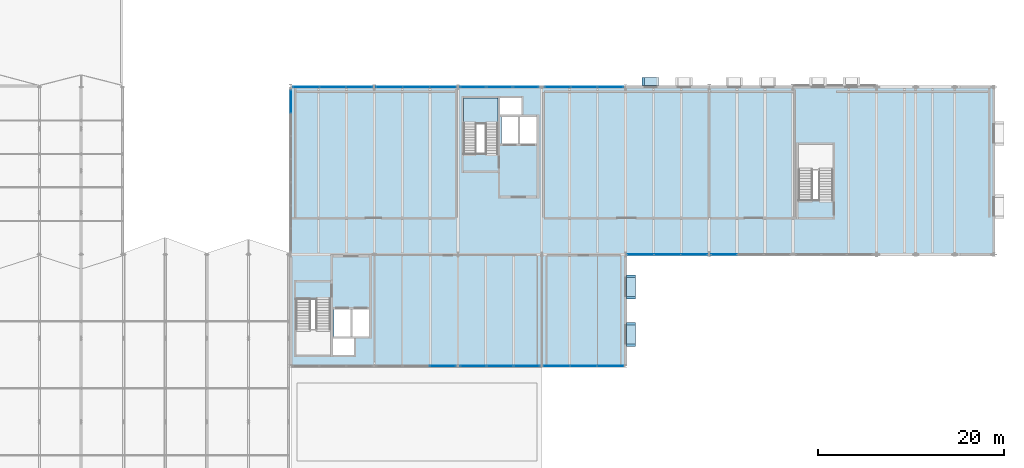
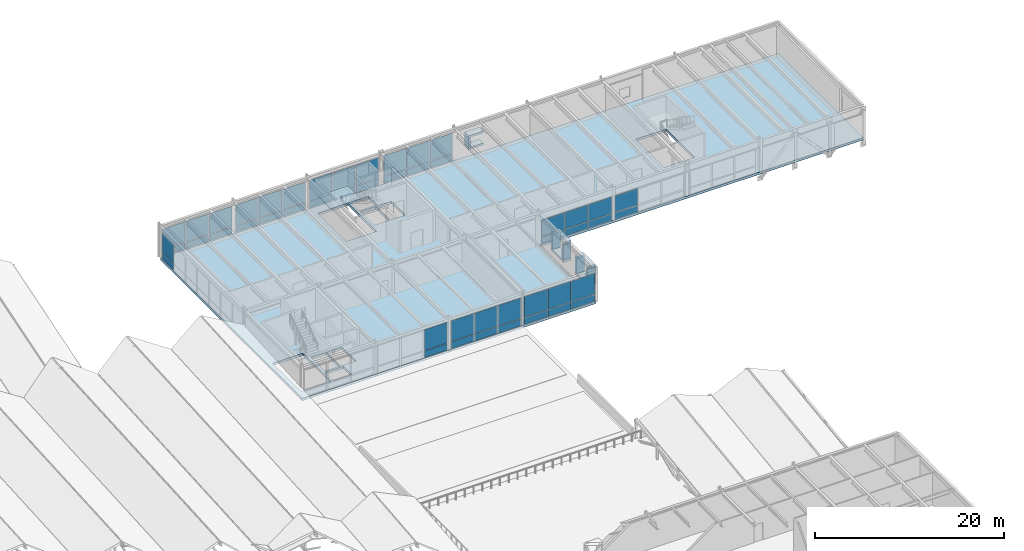
# One storey, part 106 of 142: 59 plates, 2 slabs, 11 elements without a shape of their own.
"""IFC4 building model written with IfcOpenShell, lengths in metres."""

from ifc_helpers import new_model, si_unit, direction, frame, origin, origin_2d, place, context, subcontext, project, spatial, polyline, rectangle, outline, extrude, material, layer, layer_set, type_object, element, aggregate, save


model = new_model("IFC4")

# Units and contexts
model_context = context("Model", 3, precision=1e-05, world=origin(), true_north=direction((0.0, 1.0)))
body_context = subcontext(model_context, "Body", "Model", "MODEL_VIEW")
ifc_project = project(units=[si_unit("LENGTHUNIT", "METRE"), si_unit("AREAUNIT", "SQUARE_METRE"), si_unit("VOLUMEUNIT", "CUBIC_METRE"), si_unit("PLANEANGLEUNIT", "RADIAN"), si_unit("MASSUNIT", "GRAM", prefix="KILO")], contexts=[model_context])

# Site, building, storey
site_placement = place(None, origin())
site = spatial("IfcSite", under=ifc_project, at=site_placement, CompositionType="ELEMENT")
building_placement = place(site_placement, origin())
building = spatial("IfcBuilding", under=site, at=building_placement, Name="Montelvaro Courts of Justice", CompositionType="ELEMENT")
storey_placement = place(building_placement, frame((0.0, 0.0, 14.39990234375)))
storey = spatial("IfcBuildingStorey", under=building, at=storey_placement, Name="L03", CompositionType="ELEMENT", Elevation=14.39990234375)

# Curtain wall, plates
ifc_material_1 = material(Name="Anodised aluminium EN AW-6063", Category="aluminium")
ifc_layer_1 = layer(ifc_material_1, 0.159912109375)
ifc_layer_set_1 = layer_set([ifc_layer_1], Name="Anodised aluminium EN AW-6063")
curtain_wall_type_1 = type_object("IfcCurtainWallType", Name="CurtainWall_18_868x418", PredefinedType="USERDEFINED", material=ifc_layer_set_1)
curtain_wall_1_placement = place(storey_placement, origin())
curtain_wall_1 = element("IfcCurtainWall", 1, at=curtain_wall_1_placement, inside=storey, type_object=curtain_wall_type_1, Name="Curtain Wall CW-18 (L03)", ObjectType="CURTAIN WALL", PredefinedType="USERDEFINED")
ifc_material_2 = material(Name="Low-E solar control double glazing", Category="glass")
ifc_layer_2 = layer(ifc_material_2, 0.028076171875)
ifc_layer_set_2 = layer_set([ifc_layer_2], Name="Low-E solar control double glazing")
plate_type_1 = type_object("IfcPlateType", Name="CurtainWall_Glazed_Panel_28", PredefinedType="CURTAIN_PANEL", material=ifc_layer_set_2)
plate_1_placement = place(storey_placement, frame((115.36962890625, 66.0, 0.06005859375), z_axis=(0.0, 0.0, 1.0), x_axis=(1.0, 0.0, 0.0)))
plate_1 = element("IfcPlate", 2, at=plate_1_placement, type_object=plate_type_1, Name="CW-18 panel 3.1", PredefinedType="CURTAIN_PANEL", context=body_context, shape_type="SweptSolid", body=[
    extrude(rectangle(XDim=2.78076171875, YDim=0.028076171875, at=origin_2d()), origin(), (0.0, 0.0, 1.0), 0.860107421875),
])
plate_2_placement = place(storey_placement, frame((115.36962890625, 66.0, 0.97998046875), z_axis=(0.0, 0.0, 1.0), x_axis=(1.0, 0.0, 0.0)))
plate_2 = element("IfcPlate", 3, at=plate_2_placement, type_object=plate_type_1, Name="CW-18 panel 3.2", PredefinedType="CURTAIN_PANEL", context=body_context, shape_type="SweptSolid", body=[
    extrude(rectangle(XDim=2.78076171875, YDim=0.028076171875, at=origin_2d()), origin(), (0.0, 0.0, 1.0), 2.6650390625),
])
aggregate(curtain_wall_1, [plate_1, plate_2])

curtain_wall_2_placement = place(storey_placement, origin())
curtain_wall_2 = element("IfcCurtainWall", 4, at=curtain_wall_2_placement, inside=storey, type_object=curtain_wall_type_1, Name="Curtain Wall CW-18 (L03)", ObjectType="CURTAIN WALL", PredefinedType="USERDEFINED")
plate_3_placement = place(storey_placement, frame((118.632080078125, 66.0, 0.06005859375), z_axis=(0.0, 0.0, 1.0), x_axis=(1.0, 0.0, 0.0)))
plate_3 = element("IfcPlate", 5, at=plate_3_placement, type_object=plate_type_1, Name="CW-18 panel 1.1", PredefinedType="CURTAIN_PANEL", context=body_context, shape_type="SweptSolid", body=[
    extrude(rectangle(XDim=2.7841796875, YDim=0.028076171875, at=origin_2d()), origin(), (0.0, 0.0, 1.0), 0.860107421875),
])
plate_4_placement = place(storey_placement, frame((118.632080078125, 66.0, 0.97998046875), z_axis=(0.0, 0.0, 1.0), x_axis=(1.0, 0.0, 0.0)))
plate_4 = element("IfcPlate", 6, at=plate_4_placement, type_object=plate_type_1, Name="CW-18 panel 1.2", PredefinedType="CURTAIN_PANEL", context=body_context, shape_type="SweptSolid", body=[
    extrude(rectangle(XDim=2.7841796875, YDim=0.028076171875, at=origin_2d()), origin(), (0.0, 0.0, 1.0), 2.6650390625),
])
plate_5_placement = place(storey_placement, frame((121.510009765625, 66.0, 0.06005859375), z_axis=(0.0, 0.0, 1.0), x_axis=(1.0, 0.0, 0.0)))
plate_5 = element("IfcPlate", 7, at=plate_5_placement, type_object=plate_type_1, Name="CW-18 panel 2.1", PredefinedType="CURTAIN_PANEL", context=body_context, shape_type="SweptSolid", body=[
    extrude(rectangle(XDim=2.82177734375, YDim=0.028076171875, at=origin_2d()), origin(), (0.0, 0.0, 1.0), 0.860107421875),
])
plate_6_placement = place(storey_placement, frame((121.510009765625, 66.0, 0.97998046875), z_axis=(0.0, 0.0, 1.0), x_axis=(1.0, 0.0, 0.0)))
plate_6 = element("IfcPlate", 8, at=plate_6_placement, type_object=plate_type_1, Name="CW-18 panel 2.2", PredefinedType="CURTAIN_PANEL", context=body_context, shape_type="SweptSolid", body=[
    extrude(rectangle(XDim=2.82177734375, YDim=0.028076171875, at=origin_2d()), origin(), (0.0, 0.0, 1.0), 2.6650390625),
])
plate_7_placement = place(storey_placement, frame((124.387939453125, 66.0, 0.06005859375), z_axis=(0.0, 0.0, 1.0), x_axis=(1.0, 0.0, 0.0)))
plate_7 = element("IfcPlate", 9, at=plate_7_placement, type_object=plate_type_1, Name="CW-18 panel 3.1", PredefinedType="CURTAIN_PANEL", context=body_context, shape_type="SweptSolid", body=[
    extrude(rectangle(XDim=2.7841796875, YDim=0.028076171875, at=origin_2d()), origin(), (0.0, 0.0, 1.0), 0.860107421875),
])
plate_8_placement = place(storey_placement, frame((124.387939453125, 66.0, 0.97998046875), z_axis=(0.0, 0.0, 1.0), x_axis=(1.0, 0.0, 0.0)))
plate_8 = element("IfcPlate", 10, at=plate_8_placement, type_object=plate_type_1, Name="CW-18 panel 3.2", PredefinedType="CURTAIN_PANEL", context=body_context, shape_type="SweptSolid", body=[
    extrude(rectangle(XDim=2.7841796875, YDim=0.028076171875, at=origin_2d()), origin(), (0.0, 0.0, 1.0), 2.6650390625),
])
aggregate(curtain_wall_2, [plate_3, plate_4, plate_5, plate_6, plate_7, plate_8])

curtain_wall_3_placement = place(storey_placement, origin())
curtain_wall_3 = element("IfcCurtainWall", 11, at=curtain_wall_3_placement, inside=storey, type_object=curtain_wall_type_1, Name="Curtain Wall CW-18 (L03)", ObjectType="CURTAIN WALL", PredefinedType="USERDEFINED")
plate_9_placement = place(storey_placement, frame((127.610107421875, 66.0, 0.06005859375), z_axis=(0.0, 0.0, 1.0), x_axis=(1.0, 0.0, 0.0)))
plate_9 = element("IfcPlate", 12, at=plate_9_placement, type_object=plate_type_1, Name="CW-18 panel 1.1", PredefinedType="CURTAIN_PANEL", context=body_context, shape_type="SweptSolid", body=[
    extrude(rectangle(XDim=2.81005859375, YDim=0.028076171875, at=origin_2d()), origin(), (0.0, 0.0, 1.0), 0.860107421875),
])
plate_10_placement = place(storey_placement, frame((127.610107421875, 66.0, 0.97998046875), z_axis=(0.0, 0.0, 1.0), x_axis=(1.0, 0.0, 0.0)))
plate_10 = element("IfcPlate", 13, at=plate_10_placement, type_object=plate_type_1, Name="CW-18 panel 1.2", PredefinedType="CURTAIN_PANEL", context=body_context, shape_type="SweptSolid", body=[
    extrude(rectangle(XDim=2.81005859375, YDim=0.028076171875, at=origin_2d()), origin(), (0.0, 0.0, 1.0), 2.6650390625),
])
plate_11_placement = place(storey_placement, frame((130.4951171875, 66.0, 0.06005859375), z_axis=(0.0, 0.0, 1.0), x_axis=(1.0, 0.0, 0.0)))
plate_11 = element("IfcPlate", 14, at=plate_11_placement, type_object=plate_type_1, Name="CW-18 panel 2.1", PredefinedType="CURTAIN_PANEL", context=body_context, shape_type="SweptSolid", body=[
    extrude(rectangle(XDim=2.840087890625, YDim=0.028076171875, at=origin_2d()), origin(), (0.0, 0.0, 1.0), 0.860107421875),
])
plate_12_placement = place(storey_placement, frame((130.4951171875, 66.0, 0.97998046875), z_axis=(0.0, 0.0, 1.0), x_axis=(1.0, 0.0, 0.0)))
plate_12 = element("IfcPlate", 15, at=plate_12_placement, type_object=plate_type_1, Name="CW-18 panel 2.2", PredefinedType="CURTAIN_PANEL", context=body_context, shape_type="SweptSolid", body=[
    extrude(rectangle(XDim=2.840087890625, YDim=0.028076171875, at=origin_2d()), origin(), (0.0, 0.0, 1.0), 2.6650390625),
])
plate_13_placement = place(storey_placement, frame((133.3798828125, 66.0, 0.06005859375), z_axis=(0.0, 0.0, 1.0), x_axis=(1.0, 0.0, 0.0)))
plate_13 = element("IfcPlate", 16, at=plate_13_placement, type_object=plate_type_1, Name="CW-18 panel 3.1", PredefinedType="CURTAIN_PANEL", context=body_context, shape_type="SweptSolid", body=[
    extrude(rectangle(XDim=2.81005859375, YDim=0.028076171875, at=origin_2d()), origin(), (0.0, 0.0, 1.0), 0.860107421875),
])
plate_14_placement = place(storey_placement, frame((133.3798828125, 66.0, 0.97998046875), z_axis=(0.0, 0.0, 1.0), x_axis=(1.0, 0.0, 0.0)))
plate_14 = element("IfcPlate", 17, at=plate_14_placement, type_object=plate_type_1, Name="CW-18 panel 3.2", PredefinedType="CURTAIN_PANEL", context=body_context, shape_type="SweptSolid", body=[
    extrude(rectangle(XDim=2.81005859375, YDim=0.028076171875, at=origin_2d()), origin(), (0.0, 0.0, 1.0), 2.6650390625),
])
aggregate(curtain_wall_3, [plate_9, plate_10, plate_11, plate_12, plate_13, plate_14])

ifc_layer_3 = layer(ifc_material_1, 0.159912109375)
ifc_layer_set_3 = layer_set([ifc_layer_3], Name="Anodised aluminium EN AW-6063")
curtain_wall_type_2 = type_object("IfcCurtainWallType", Name="CurtainWall_14_867x418", PredefinedType="USERDEFINED", material=ifc_layer_set_3)
curtain_wall_4_placement = place(storey_placement, origin())
curtain_wall_4 = element("IfcCurtainWall", 18, at=curtain_wall_4_placement, inside=storey, type_object=curtain_wall_type_2, Name="Curtain Wall CW-14 (L03)", ObjectType="CURTAIN WALL", PredefinedType="USERDEFINED")
plate_15_placement = place(storey_placement, frame((136.625, 78.0, 0.0751953125), z_axis=(0.0, 0.0, 1.0), x_axis=(1.0, 0.0, 0.0)))
plate_15 = element("IfcPlate", 19, at=plate_15_placement, type_object=plate_type_1, Name="CW-14 panel 1.1", PredefinedType="CURTAIN_PANEL", context=body_context, shape_type="SweptSolid", body=[
    extrude(rectangle(XDim=2.800048828125, YDim=0.028076171875, at=origin_2d()), origin(), (0.0, 0.0, 1.0), 0.83740234375),
])
plate_16_placement = place(storey_placement, frame((136.625, 78.0, 0.987548828125), z_axis=(0.0, 0.0, 1.0), x_axis=(1.0, 0.0, 0.0)))
plate_16 = element("IfcPlate", 20, at=plate_16_placement, type_object=plate_type_1, Name="CW-14 panel 1.2", PredefinedType="CURTAIN_PANEL", context=body_context, shape_type="SweptSolid", body=[
    extrude(rectangle(XDim=2.800048828125, YDim=0.028076171875, at=origin_2d()), origin(), (0.0, 0.0, 1.0), 2.12451171875),
])
plate_17_placement = place(storey_placement, frame((139.5, 78.0, 0.0751953125), z_axis=(0.0, 0.0, 1.0), x_axis=(1.0, 0.0, 0.0)))
plate_17 = element("IfcPlate", 21, at=plate_17_placement, type_object=plate_type_1, Name="CW-14 panel 2.1", PredefinedType="CURTAIN_PANEL", context=body_context, shape_type="SweptSolid", body=[
    extrude(rectangle(XDim=2.830078125, YDim=0.028076171875, at=origin_2d()), origin(), (0.0, 0.0, 1.0), 0.83740234375),
])
plate_18_placement = place(storey_placement, frame((139.5, 78.0, 0.987548828125), z_axis=(0.0, 0.0, 1.0), x_axis=(1.0, 0.0, 0.0)))
plate_18 = element("IfcPlate", 22, at=plate_18_placement, type_object=plate_type_1, Name="CW-14 panel 2.2", PredefinedType="CURTAIN_PANEL", context=body_context, shape_type="SweptSolid", body=[
    extrude(rectangle(XDim=2.830078125, YDim=0.028076171875, at=origin_2d()), origin(), (0.0, 0.0, 1.0), 2.12451171875),
])
plate_19_placement = place(storey_placement, frame((142.375, 78.0, 0.0751953125), z_axis=(0.0, 0.0, 1.0), x_axis=(1.0, 0.0, 0.0)))
plate_19 = element("IfcPlate", 23, at=plate_19_placement, type_object=plate_type_1, Name="CW-14 panel 3.1", PredefinedType="CURTAIN_PANEL", context=body_context, shape_type="SweptSolid", body=[
    extrude(rectangle(XDim=2.800048828125, YDim=0.028076171875, at=origin_2d()), origin(), (0.0, 0.0, 1.0), 0.83740234375),
])
plate_20_placement = place(storey_placement, frame((142.375, 78.0, 0.987548828125), z_axis=(0.0, 0.0, 1.0), x_axis=(1.0, 0.0, 0.0)))
plate_20 = element("IfcPlate", 24, at=plate_20_placement, type_object=plate_type_1, Name="CW-14 panel 3.2", PredefinedType="CURTAIN_PANEL", context=body_context, shape_type="SweptSolid", body=[
    extrude(rectangle(XDim=2.800048828125, YDim=0.028076171875, at=origin_2d()), origin(), (0.0, 0.0, 1.0), 2.12451171875),
])
aggregate(curtain_wall_4, [plate_15, plate_16, plate_17, plate_18, plate_19, plate_20])

ifc_layer_4 = layer(ifc_material_1, 0.159912109375)
ifc_layer_set_4 = layer_set([ifc_layer_4], Name="Anodised aluminium EN AW-6063")
curtain_wall_type_3 = type_object("IfcCurtainWallType", Name="CurtainWall_13_857x418", PredefinedType="USERDEFINED", material=ifc_layer_set_4)
curtain_wall_5_placement = place(storey_placement, origin())
curtain_wall_5 = element("IfcCurtainWall", 25, at=curtain_wall_5_placement, inside=storey, type_object=curtain_wall_type_3, Name="Curtain Wall CW-13 (L03)", ObjectType="CURTAIN WALL", PredefinedType="USERDEFINED")
plate_21_placement = place(storey_placement, frame((145.604248046875, 78.0, 0.0751953125), z_axis=(0.0, 0.0, 1.0), x_axis=(1.0, 0.0, 0.0)))
plate_21 = element("IfcPlate", 26, at=plate_21_placement, type_object=plate_type_1, Name="CW-13 panel 1.1", PredefinedType="CURTAIN_PANEL", context=body_context, shape_type="SweptSolid", body=[
    extrude(rectangle(XDim=2.75830078125, YDim=0.028076171875, at=origin_2d()), origin(), (0.0, 0.0, 1.0), 0.83740234375),
])
plate_22_placement = place(storey_placement, frame((145.604248046875, 78.0, 0.987548828125), z_axis=(0.0, 0.0, 1.0), x_axis=(1.0, 0.0, 0.0)))
plate_22 = element("IfcPlate", 27, at=plate_22_placement, type_object=plate_type_1, Name="CW-13 panel 1.2", PredefinedType="CURTAIN_PANEL", context=body_context, shape_type="SweptSolid", body=[
    extrude(rectangle(XDim=2.75830078125, YDim=0.028076171875, at=origin_2d()), origin(), (0.0, 0.0, 1.0), 2.12451171875),
])
aggregate(curtain_wall_5, [plate_21, plate_22])

curtain_wall_6_placement = place(storey_placement, origin())
curtain_wall_6 = element("IfcCurtainWall", 28, at=curtain_wall_6_placement, inside=storey, type_object=curtain_wall_type_3, Name="Curtain Wall CW-13 (L03)", ObjectType="CURTAIN WALL", PredefinedType="USERDEFINED")
plate_23_placement = place(storey_placement, frame((133.387939453125, 96.0, 0.06005859375), z_axis=(0.0, 0.0, 1.0), x_axis=(-1.0, 0.0, 0.0)))
plate_23 = element("IfcPlate", 29, at=plate_23_placement, type_object=plate_type_1, Name="CW-13 panel 1.1", PredefinedType="CURTAIN_PANEL", context=body_context, shape_type="SweptSolid", body=[
    extrude(rectangle(XDim=2.744140625, YDim=0.028076171875, at=origin_2d()), origin(), (0.0, 0.0, 1.0), 0.860107421875),
])
plate_24_placement = place(storey_placement, frame((133.387939453125, 96.0, 0.97998046875), z_axis=(0.0, 0.0, 1.0), x_axis=(-1.0, 0.0, 0.0)))
plate_24 = element("IfcPlate", 30, at=plate_24_placement, type_object=plate_type_1, Name="CW-13 panel 1.2", PredefinedType="CURTAIN_PANEL", context=body_context, shape_type="SweptSolid", body=[
    extrude(rectangle(XDim=2.744140625, YDim=0.028076171875, at=origin_2d()), origin(), (0.0, 0.0, 1.0), 2.655029296875),
])
plate_25_placement = place(storey_placement, frame((130.550048828125, 96.0, 0.06005859375), z_axis=(0.0, 0.0, 1.0), x_axis=(-1.0, 0.0, 0.0)))
plate_25 = element("IfcPlate", 31, at=plate_25_placement, type_object=plate_type_1, Name="CW-13 panel 2.1", PredefinedType="CURTAIN_PANEL", context=body_context, shape_type="SweptSolid", body=[
    extrude(rectangle(XDim=2.78173828125, YDim=0.028076171875, at=origin_2d()), origin(), (0.0, 0.0, 1.0), 0.860107421875),
])
plate_26_placement = place(storey_placement, frame((130.550048828125, 96.0, 0.97998046875), z_axis=(0.0, 0.0, 1.0), x_axis=(-1.0, 0.0, 0.0)))
plate_26 = element("IfcPlate", 32, at=plate_26_placement, type_object=plate_type_1, Name="CW-13 panel 2.2", PredefinedType="CURTAIN_PANEL", context=body_context, shape_type="SweptSolid", body=[
    extrude(rectangle(XDim=2.78173828125, YDim=0.028076171875, at=origin_2d()), origin(), (0.0, 0.0, 1.0), 2.655029296875),
])
plate_27_placement = place(storey_placement, frame((127.712158203125, 96.0, 0.06005859375), z_axis=(0.0, 0.0, 1.0), x_axis=(-1.0, 0.0, 0.0)))
plate_27 = element("IfcPlate", 33, at=plate_27_placement, type_object=plate_type_1, Name="CW-13 panel 3.1", PredefinedType="CURTAIN_PANEL", context=body_context, shape_type="SweptSolid", body=[
    extrude(rectangle(XDim=2.744140625, YDim=0.028076171875, at=origin_2d()), origin(), (0.0, 0.0, 1.0), 0.860107421875),
])
plate_28_placement = place(storey_placement, frame((127.712158203125, 96.0, 0.97998046875), z_axis=(0.0, 0.0, 1.0), x_axis=(-1.0, 0.0, 0.0)))
plate_28 = element("IfcPlate", 34, at=plate_28_placement, type_object=plate_type_1, Name="CW-13 panel 3.2", PredefinedType="CURTAIN_PANEL", context=body_context, shape_type="SweptSolid", body=[
    extrude(rectangle(XDim=2.744140625, YDim=0.028076171875, at=origin_2d()), origin(), (0.0, 0.0, 1.0), 2.655029296875),
])
aggregate(curtain_wall_6, [plate_23, plate_24, plate_25, plate_26, plate_27, plate_28])

curtain_wall_7_placement = place(storey_placement, origin())
curtain_wall_7 = element("IfcCurtainWall", 35, at=curtain_wall_7_placement, inside=storey, type_object=curtain_wall_type_3, Name="Curtain Wall CW-13 (L03)", ObjectType="CURTAIN WALL", PredefinedType="USERDEFINED")
plate_29_placement = place(storey_placement, frame((124.287841796875, 96.0, 0.06005859375), z_axis=(0.0, 0.0, 1.0), x_axis=(-1.0, 0.0, 0.0)))
plate_29 = element("IfcPlate", 36, at=plate_29_placement, type_object=plate_type_1, Name="CW-13 panel 1.1", PredefinedType="CURTAIN_PANEL", context=body_context, shape_type="SweptSolid", body=[
    extrude(rectangle(XDim=2.744140625, YDim=0.028076171875, at=origin_2d()), origin(), (0.0, 0.0, 1.0), 0.860107421875),
])
plate_30_placement = place(storey_placement, frame((124.287841796875, 96.0, 0.97998046875), z_axis=(0.0, 0.0, 1.0), x_axis=(-1.0, 0.0, 0.0)))
plate_30 = element("IfcPlate", 37, at=plate_30_placement, type_object=plate_type_1, Name="CW-13 panel 1.2", PredefinedType="CURTAIN_PANEL", context=body_context, shape_type="SweptSolid", body=[
    extrude(rectangle(XDim=2.744140625, YDim=0.028076171875, at=origin_2d()), origin(), (0.0, 0.0, 1.0), 2.655029296875),
])
plate_31_placement = place(storey_placement, frame((121.449951171875, 96.0, 0.06005859375), z_axis=(0.0, 0.0, 1.0), x_axis=(-1.0, 0.0, 0.0)))
plate_31 = element("IfcPlate", 38, at=plate_31_placement, type_object=plate_type_1, Name="CW-13 panel 2.1", PredefinedType="CURTAIN_PANEL", context=body_context, shape_type="SweptSolid", body=[
    extrude(rectangle(XDim=2.78173828125, YDim=0.028076171875, at=origin_2d()), origin(), (0.0, 0.0, 1.0), 0.860107421875),
])
plate_32_placement = place(storey_placement, frame((121.449951171875, 96.0, 0.97998046875), z_axis=(0.0, 0.0, 1.0), x_axis=(-1.0, 0.0, 0.0)))
plate_32 = element("IfcPlate", 39, at=plate_32_placement, type_object=plate_type_1, Name="CW-13 panel 2.2", PredefinedType="CURTAIN_PANEL", context=body_context, shape_type="SweptSolid", body=[
    extrude(rectangle(XDim=2.78173828125, YDim=0.028076171875, at=origin_2d()), origin(), (0.0, 0.0, 1.0), 2.655029296875),
])
plate_33_placement = place(storey_placement, frame((118.612060546875, 96.0, 0.06005859375), z_axis=(0.0, 0.0, 1.0), x_axis=(-1.0, 0.0, 0.0)))
plate_33 = element("IfcPlate", 40, at=plate_33_placement, type_object=plate_type_1, Name="CW-13 panel 3.1", PredefinedType="CURTAIN_PANEL", context=body_context, shape_type="SweptSolid", body=[
    extrude(rectangle(XDim=2.744140625, YDim=0.028076171875, at=origin_2d()), origin(), (0.0, 0.0, 1.0), 0.860107421875),
])
plate_34_placement = place(storey_placement, frame((118.612060546875, 96.0, 0.97998046875), z_axis=(0.0, 0.0, 1.0), x_axis=(-1.0, 0.0, 0.0)))
plate_34 = element("IfcPlate", 41, at=plate_34_placement, type_object=plate_type_1, Name="CW-13 panel 3.2", PredefinedType="CURTAIN_PANEL", context=body_context, shape_type="SweptSolid", body=[
    extrude(rectangle(XDim=2.744140625, YDim=0.028076171875, at=origin_2d()), origin(), (0.0, 0.0, 1.0), 2.655029296875),
])
aggregate(curtain_wall_7, [plate_29, plate_30, plate_31, plate_32, plate_33, plate_34])

curtain_wall_8_placement = place(storey_placement, origin())
curtain_wall_8 = element("IfcCurtainWall", 42, at=curtain_wall_8_placement, inside=storey, type_object=curtain_wall_type_2, Name="Curtain Wall CW-14 (L03)", ObjectType="CURTAIN WALL", PredefinedType="USERDEFINED")
plate_35_placement = place(storey_placement, frame((115.375, 96.0, 0.0751953125), z_axis=(0.0, 0.0, 1.0), x_axis=(-1.0, 0.0, 0.0)))
plate_35 = element("IfcPlate", 43, at=plate_35_placement, type_object=plate_type_1, Name="CW-14 panel 1.1", PredefinedType="CURTAIN_PANEL", context=body_context, shape_type="SweptSolid", body=[
    extrude(rectangle(XDim=2.800048828125, YDim=0.028076171875, at=origin_2d()), origin(), (0.0, 0.0, 1.0), 0.83740234375),
])
plate_36_placement = place(storey_placement, frame((115.375, 96.0, 0.98779296875), z_axis=(0.0, 0.0, 1.0), x_axis=(-1.0, 0.0, 0.0)))
plate_36 = element("IfcPlate", 44, at=plate_36_placement, type_object=plate_type_1, Name="CW-14 panel 1.2", PredefinedType="CURTAIN_PANEL", context=body_context, shape_type="SweptSolid", body=[
    extrude(rectangle(XDim=2.800048828125, YDim=0.028076171875, at=origin_2d()), origin(), (0.0, 0.0, 1.0), 2.632568359375),
])
plate_37_placement = place(storey_placement, frame((112.5, 96.0, 0.0751953125), z_axis=(0.0, 0.0, 1.0), x_axis=(-1.0, 0.0, 0.0)))
plate_37 = element("IfcPlate", 45, at=plate_37_placement, type_object=plate_type_1, Name="CW-14 panel 2.1", PredefinedType="CURTAIN_PANEL", context=body_context, shape_type="SweptSolid", body=[
    extrude(rectangle(XDim=2.830078125, YDim=0.028076171875, at=origin_2d()), origin(), (0.0, 0.0, 1.0), 0.83740234375),
])
plate_38_placement = place(storey_placement, frame((112.5, 96.0, 0.98779296875), z_axis=(0.0, 0.0, 1.0), x_axis=(-1.0, 0.0, 0.0)))
plate_38 = element("IfcPlate", 46, at=plate_38_placement, type_object=plate_type_1, Name="CW-14 panel 2.2", PredefinedType="CURTAIN_PANEL", context=body_context, shape_type="SweptSolid", body=[
    extrude(rectangle(XDim=2.830078125, YDim=0.028076171875, at=origin_2d()), origin(), (0.0, 0.0, 1.0), 2.632568359375),
])
plate_39_placement = place(storey_placement, frame((109.625, 96.0, 0.0751953125), z_axis=(0.0, 0.0, 1.0), x_axis=(-1.0, 0.0, 0.0)))
plate_39 = element("IfcPlate", 47, at=plate_39_placement, type_object=plate_type_1, Name="CW-14 panel 3.1", PredefinedType="CURTAIN_PANEL", context=body_context, shape_type="SweptSolid", body=[
    extrude(rectangle(XDim=2.800048828125, YDim=0.028076171875, at=origin_2d()), origin(), (0.0, 0.0, 1.0), 0.83740234375),
])
plate_40_placement = place(storey_placement, frame((109.625, 96.0, 0.98779296875), z_axis=(0.0, 0.0, 1.0), x_axis=(-1.0, 0.0, 0.0)))
plate_40 = element("IfcPlate", 48, at=plate_40_placement, type_object=plate_type_1, Name="CW-14 panel 3.2", PredefinedType="CURTAIN_PANEL", context=body_context, shape_type="SweptSolid", body=[
    extrude(rectangle(XDim=2.800048828125, YDim=0.028076171875, at=origin_2d()), origin(), (0.0, 0.0, 1.0), 2.632568359375),
])
aggregate(curtain_wall_8, [plate_35, plate_36, plate_37, plate_38, plate_39, plate_40])

ifc_layer_5 = layer(ifc_material_1, 0.159912109375)
ifc_layer_set_5 = layer_set([ifc_layer_5], Name="Anodised aluminium EN AW-6063")
curtain_wall_type_4 = type_object("IfcCurtainWallType", Name="CurtainWall_17_861x418", PredefinedType="USERDEFINED", material=ifc_layer_set_5)
curtain_wall_9_placement = place(storey_placement, origin())
curtain_wall_9 = element("IfcCurtainWall", 49, at=curtain_wall_9_placement, inside=storey, type_object=curtain_wall_type_4, Name="Curtain Wall CW-17 (L03)", ObjectType="CURTAIN WALL", PredefinedType="USERDEFINED")
plate_41_placement = place(storey_placement, frame((106.38330078125, 96.0, 0.0751953125), z_axis=(0.0, 0.0, 1.0), x_axis=(-1.0, 0.0, 0.0)))
plate_41 = element("IfcPlate", 50, at=plate_41_placement, type_object=plate_type_1, Name="CW-17 panel 1.1", PredefinedType="CURTAIN_PANEL", context=body_context, shape_type="SweptSolid", body=[
    extrude(rectangle(XDim=2.783447265625, YDim=0.028076171875, at=origin_2d()), origin(), (0.0, 0.0, 1.0), 0.83740234375),
])
plate_42_placement = place(storey_placement, frame((106.38330078125, 96.0, 0.98779296875), z_axis=(0.0, 0.0, 1.0), x_axis=(-1.0, 0.0, 0.0)))
plate_42 = element("IfcPlate", 51, at=plate_42_placement, type_object=plate_type_1, Name="CW-17 panel 1.2", PredefinedType="CURTAIN_PANEL", context=body_context, shape_type="SweptSolid", body=[
    extrude(rectangle(XDim=2.783447265625, YDim=0.028076171875, at=origin_2d()), origin(), (0.0, 0.0, 1.0), 2.632568359375),
])
plate_43_placement = place(storey_placement, frame((103.52490234375, 96.0, 0.0751953125), z_axis=(0.0, 0.0, 1.0), x_axis=(-1.0, 0.0, 0.0)))
plate_43 = element("IfcPlate", 52, at=plate_43_placement, type_object=plate_type_1, Name="CW-17 panel 2.1", PredefinedType="CURTAIN_PANEL", context=body_context, shape_type="SweptSolid", body=[
    extrude(rectangle(XDim=2.813232421875, YDim=0.028076171875, at=origin_2d()), origin(), (0.0, 0.0, 1.0), 0.83740234375),
])
plate_44_placement = place(storey_placement, frame((103.52490234375, 96.0, 0.98779296875), z_axis=(0.0, 0.0, 1.0), x_axis=(-1.0, 0.0, 0.0)))
plate_44 = element("IfcPlate", 53, at=plate_44_placement, type_object=plate_type_1, Name="CW-17 panel 2.2", PredefinedType="CURTAIN_PANEL", context=body_context, shape_type="SweptSolid", body=[
    extrude(rectangle(XDim=2.813232421875, YDim=0.028076171875, at=origin_2d()), origin(), (0.0, 0.0, 1.0), 2.632568359375),
])
plate_45_placement = place(storey_placement, frame((100.666748046875, 96.0, 0.0751953125), z_axis=(0.0, 0.0, 1.0), x_axis=(-1.0, 0.0, 0.0)))
plate_45 = element("IfcPlate", 54, at=plate_45_placement, type_object=plate_type_1, Name="CW-17 panel 3.1", PredefinedType="CURTAIN_PANEL", context=body_context, shape_type="SweptSolid", body=[
    extrude(rectangle(XDim=2.783447265625, YDim=0.028076171875, at=origin_2d()), origin(), (0.0, 0.0, 1.0), 0.83740234375),
])
plate_46_placement = place(storey_placement, frame((100.666748046875, 96.0, 0.98779296875), z_axis=(0.0, 0.0, 1.0), x_axis=(-1.0, 0.0, 0.0)))
plate_46 = element("IfcPlate", 55, at=plate_46_placement, type_object=plate_type_1, Name="CW-17 panel 3.2", PredefinedType="CURTAIN_PANEL", context=body_context, shape_type="SweptSolid", body=[
    extrude(rectangle(XDim=2.783447265625, YDim=0.028076171875, at=origin_2d()), origin(), (0.0, 0.0, 1.0), 2.632568359375),
])
aggregate(curtain_wall_9, [plate_41, plate_42, plate_43, plate_44, plate_45, plate_46])

ifc_layer_6 = layer(ifc_material_1, 0.159912109375)
ifc_layer_set_6 = layer_set([ifc_layer_6], Name="Anodised aluminium EN AW-6063")
curtain_wall_type_5 = type_object("IfcCurtainWallType", Name="CurtainWall_30_1742x418", PredefinedType="USERDEFINED", material=ifc_layer_set_6)
curtain_wall_10_placement = place(storey_placement, origin())
curtain_wall_10 = element("IfcCurtainWall", 56, at=curtain_wall_10_placement, inside=storey, type_object=curtain_wall_type_5, Name="Curtain Wall CW-30 (L03)", ObjectType="CURTAIN WALL", PredefinedType="USERDEFINED")
plate_47_placement = place(storey_placement, frame((99.050048828125, 94.45068359375, 0.06005859375), z_axis=(0.0, 0.0, 1.0), x_axis=(0.0, -1.0, 0.0)))
plate_47 = element("IfcPlate", 57, at=plate_47_placement, type_object=plate_type_1, Name="CW-30 panel 1.1", PredefinedType="CURTAIN_PANEL", context=body_context, shape_type="SweptSolid", body=[
    extrude(rectangle(XDim=2.398681640625, YDim=0.028076171875, at=origin_2d()), origin(), (0.0, 0.0, 1.0), 0.860107421875),
])
plate_48_placement = place(storey_placement, frame((99.050048828125, 94.45068359375, 0.980224609375), z_axis=(0.0, 0.0, 1.0), x_axis=(0.0, -1.0, 0.0)))
plate_48 = element("IfcPlate", 58, at=plate_48_placement, type_object=plate_type_1, Name="CW-30 panel 1.2", PredefinedType="CURTAIN_PANEL", context=body_context, shape_type="SweptSolid", body=[
    extrude(rectangle(XDim=2.398681640625, YDim=0.028076171875, at=origin_2d()), origin(), (0.0, 0.0, 1.0), 2.5048828125),
])
aggregate(curtain_wall_10, [plate_47, plate_48])

# Slab
ifc_material_3 = material(Name="Concrete C35/45", Category="concrete")
ifc_layer_7 = layer(ifc_material_3, 0.300048828125)
ifc_layer_set_7 = layer_set([ifc_layer_7], Name="Concrete C35/45")
slab_type_1 = type_object("IfcSlabType", Name="FloorSlab_300", PredefinedType="FLOOR", material=ifc_layer_set_7)
slab_1_placement = place(storey_placement, frame((0.0, 0.0, -0.2998046875)))
element("IfcSlab", 59, at=slab_1_placement, inside=storey, type_object=slab_type_1, Name="Structural Slab SF-02 L03", PredefinedType="FLOOR", context=body_context, shape_type="SweptSolid", body=[
    extrude(outline(polyline([(99.050048828125, 66.0), (135.0, 66.0), (135.0, 78.0), (174.60009765625, 78.0), (174.60009765625, 96.0), (99.050048828125, 96.0), (99.050048828125, 66.0)]), holes=[polyline([(117.60009765625, 88.800048828125), (121.300048828125, 88.800048828125), (121.300048828125, 94.800048828125), (117.60009765625, 94.800048828125), (117.60009765625, 88.800048828125)]), polyline([(121.5400390625, 93.0400390625), (123.800048828125, 93.0400390625), (123.800048828125, 94.800048828125), (121.5400390625, 94.800048828125), (121.5400390625, 93.0400390625)]), polyline([(121.64990234375, 89.89990234375), (123.5, 89.89990234375), (123.5, 92.800048828125), (121.64990234375, 92.800048828125), (121.64990234375, 89.89990234375)]), polyline([(123.60009765625, 89.89990234375), (125.449951171875, 89.89990234375), (125.449951171875, 92.800048828125), (123.60009765625, 92.800048828125), (123.60009765625, 89.89990234375)]), polyline([(99.60009765625, 67.199951171875), (103.300048828125, 67.199951171875), (103.300048828125, 73.199951171875), (99.60009765625, 73.199951171875), (99.60009765625, 67.199951171875)]), polyline([(103.5400390625, 67.199951171875), (105.800048828125, 67.199951171875), (105.800048828125, 68.9599609375), (103.5400390625, 68.9599609375), (103.5400390625, 67.199951171875)]), polyline([(103.64990234375, 69.199951171875), (105.5, 69.199951171875), (105.5, 72.10009765625), (103.64990234375, 72.10009765625), (103.64990234375, 69.199951171875)]), polyline([(105.60009765625, 69.199951171875), (107.449951171875, 69.199951171875), (107.449951171875, 72.10009765625), (105.60009765625, 72.10009765625), (105.60009765625, 69.199951171875)]), polyline([(153.60009765625, 83.800048828125), (157.300048828125, 83.800048828125), (157.300048828125, 89.800048828125), (153.60009765625, 89.800048828125), (153.60009765625, 83.800048828125)])]), origin(), (0.0, 0.0, 1.0), 0.2998046875),
])

# Plates
ifc_material_4 = material(Name="White mineral precast concrete C45/55", Category="concrete")
ifc_layer_8 = layer(ifc_material_4, 0.25)
ifc_layer_set_8 = layer_set([ifc_layer_8], Name="White mineral precast concrete C45/55")
plate_type_2 = type_object("IfcPlateType", Name="PrecastSquareFrame_250x850", PredefinedType="SHEET", material=ifc_layer_set_8)
for number, where, z_axis, x_axis, name in (
    (60, (137.702880859375, 96.570068359375, 2.2001953125), (0.0, 0.0, 1.0), (-1.0, 0.0, 0.0), "Graduated Square Window Frame PF-03 W-L03-146 TOP"),
    (61, (137.702880859375, 96.570068359375, 0.650146484375), (0.0, 0.0, 1.0), (-1.0, 0.0, 0.0), "Graduated Square Window Frame PF-03 W-L03-146 BOT"),
):
    element("IfcPlate", number, at=place(storey_placement, frame(where, z_axis=z_axis, x_axis=x_axis)), inside=storey, type_object=plate_type_2, Name=name, PredefinedType="SHEET", context=body_context, shape_type="SweptSolid", body=[
        extrude(rectangle(XDim=1.800048828125, YDim=0.860107421875, at=origin_2d()), origin(), (0.0, 0.0, 1.0), 0.25),
    ])
plate_49_placement = place(storey_placement, frame((136.927978515625, 96.570068359375, 0.89990234375), z_axis=(0.0, 0.0, 1.0), x_axis=(-1.0, 0.0, 0.0)))
element("IfcPlate", 62, at=plate_49_placement, inside=storey, type_object=plate_type_2, Name="Graduated Square Window Frame PF-03 W-L03-146 R", PredefinedType="SHEET", context=body_context, shape_type="SweptSolid", body=[
    extrude(rectangle(XDim=0.25, YDim=0.860107421875, at=origin_2d()), origin(), (0.0, 0.0, 1.0), 1.300048828125),
])
ifc_layer_9 = layer(ifc_material_4, 0.300048828125)
ifc_layer_set_9 = layer_set([ifc_layer_9], Name="White mineral precast concrete C45/55")
plate_type_3 = type_object("IfcPlateType", Name="PrecastSquareFrame_300x950", PredefinedType="SHEET", material=ifc_layer_set_9)
for number, where, z_axis, x_axis, name in (
    (63, (135.6201171875, 69.389892578125, 2.85009765625), (0.0, 0.0, 1.0), (0.0, 1.0, 0.0), "Graduated Square Window Frame PF-02 W-L03-137 TOP"),
    (64, (135.6201171875, 69.389892578125, 0.55029296875), (0.0, 0.0, 1.0), (0.0, 1.0, 0.0), "Graduated Square Window Frame PF-02 W-L03-137 BOT"),
):
    element("IfcPlate", number, at=place(storey_placement, frame(where, z_axis=z_axis, x_axis=x_axis)), inside=storey, type_object=plate_type_3, Name=name, PredefinedType="SHEET", context=body_context, shape_type="SweptSolid", body=[
        extrude(rectangle(XDim=2.60009765625, YDim=0.9599609375, at=origin_2d()), origin(), (0.0, 0.0, 1.0), 0.300048828125),
    ])
for number, where, z_axis, x_axis, name in (
    (65, (135.6201171875, 68.239990234375, 0.85009765625), (0.0, 0.0, 1.0), (0.0, 1.0, 0.0), "Graduated Square Window Frame PF-02 W-L03-137 L"),
    (66, (135.6201171875, 70.5400390625, 0.85009765625), (0.0, 0.0, 1.0), (0.0, 1.0, 0.0), "Graduated Square Window Frame PF-02 W-L03-137 R"),
):
    element("IfcPlate", number, at=place(storey_placement, frame(where, z_axis=z_axis, x_axis=x_axis)), inside=storey, type_object=plate_type_3, Name=name, PredefinedType="SHEET", context=body_context, shape_type="SweptSolid", body=[
        extrude(rectangle(XDim=0.300048828125, YDim=0.9599609375, at=origin_2d()), origin(), (0.0, 0.0, 1.0), 2.0),
    ])
for number, where, z_axis, x_axis, name in (
    (67, (135.6201171875, 74.5, 2.85009765625), (0.0, 0.0, 1.0), (0.0, 1.0, 0.0), "Graduated Square Window Frame PF-02 W-L03-138 TOP"),
    (68, (135.6201171875, 74.5, 0.55029296875), (0.0, 0.0, 1.0), (0.0, 1.0, 0.0), "Graduated Square Window Frame PF-02 W-L03-138 BOT"),
):
    element("IfcPlate", number, at=place(storey_placement, frame(where, z_axis=z_axis, x_axis=x_axis)), inside=storey, type_object=plate_type_3, Name=name, PredefinedType="SHEET", context=body_context, shape_type="SweptSolid", body=[
        extrude(rectangle(XDim=2.60009765625, YDim=0.9599609375, at=origin_2d()), origin(), (0.0, 0.0, 1.0), 0.300048828125),
    ])
for number, where, z_axis, x_axis, name in (
    (69, (135.6201171875, 73.35009765625, 0.85009765625), (0.0, 0.0, 1.0), (0.0, 1.0, 0.0), "Graduated Square Window Frame PF-02 W-L03-138 L"),
    (70, (135.6201171875, 75.64990234375, 0.85009765625), (0.0, 0.0, 1.0), (0.0, 1.0, 0.0), "Graduated Square Window Frame PF-02 W-L03-138 R"),
):
    element("IfcPlate", number, at=place(storey_placement, frame(where, z_axis=z_axis, x_axis=x_axis)), inside=storey, type_object=plate_type_3, Name=name, PredefinedType="SHEET", context=body_context, shape_type="SweptSolid", body=[
        extrude(rectangle(XDim=0.300048828125, YDim=0.9599609375, at=origin_2d()), origin(), (0.0, 0.0, 1.0), 2.0),
    ])

# Stair, slab
stair_type = type_object("IfcStairType", Name="ProtectedStair_135", PredefinedType="HALF_TURN_STAIR", material=ifc_material_3)
stair_placement = place(storey_placement, origin())
stair = element("IfcStair", 71, at=stair_placement, inside=storey, type_object=stair_type, Name="Protected Stair ST-K3-L03", PredefinedType="HALF_TURN_STAIR")
ifc_layer_10 = layer(ifc_material_3, 0.199951171875)
ifc_layer_set_10 = layer_set([ifc_layer_10], Name="Concrete C35/45")
slab_type_2 = type_object("IfcSlabType", Name="StairLanding_200", PredefinedType="LANDING", material=ifc_layer_set_10)
slab_2_placement = place(storey_placement, frame((0.0, 0.0, 2.050048828125)))
slab_2 = element("IfcSlab", 72, at=slab_2_placement, type_object=slab_type_2, Name="ST-K3-L03 landing 1", PredefinedType="LANDING", context=body_context, shape_type="SweptSolid", body=[
    extrude(outline(polyline([(117.60009765625, 92.06494140625), (121.300048828125, 92.06494140625), (121.300048828125, 94.800048828125), (117.60009765625, 94.800048828125), (117.60009765625, 92.06494140625)])), origin(), (0.0, 0.0, 1.0), 0.199951171875),
])
aggregate(stair, [slab_2])

save(model, "model.ifc")
